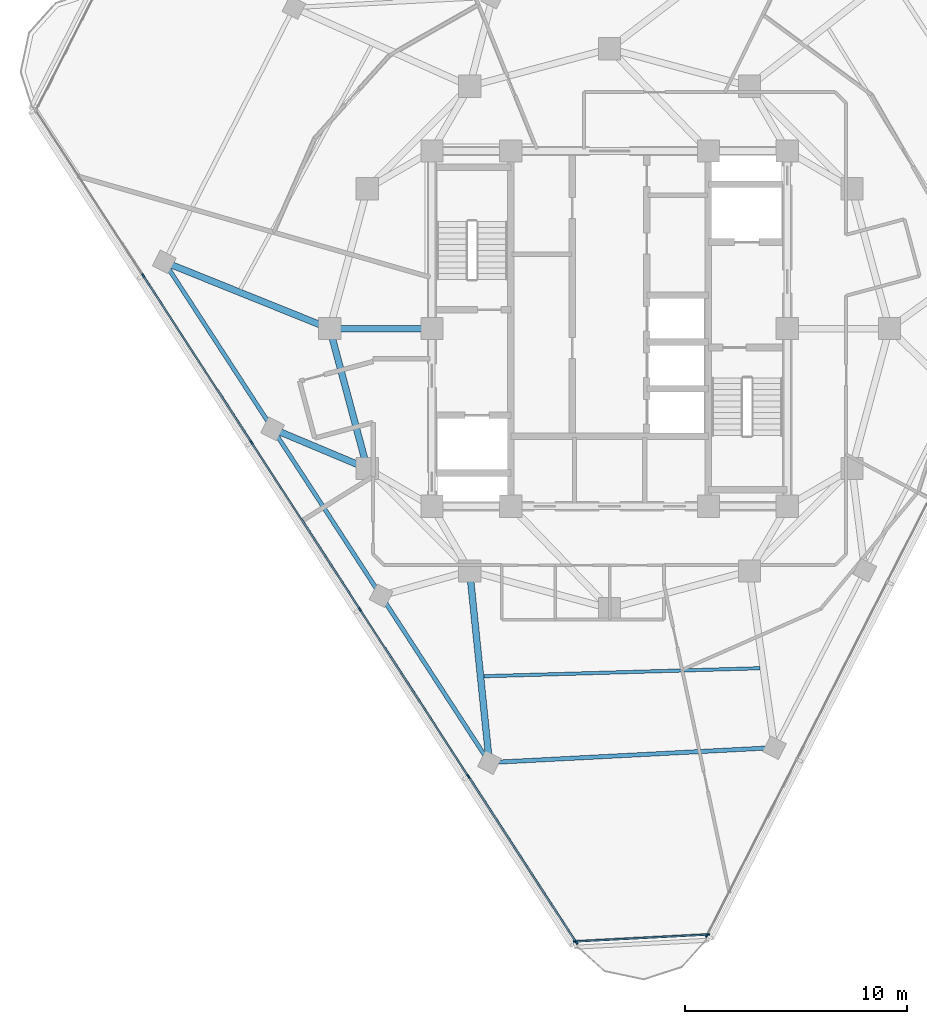
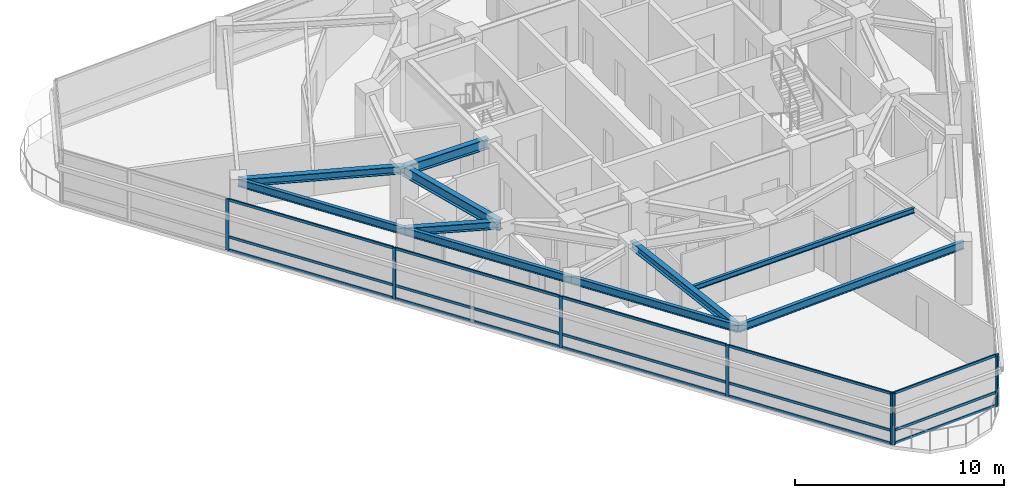
# One storey, part 2 of 15: 23 members, 10 beams, 3 elements without a shape of their own.
"""IFC4 building model written with IfcOpenShell, lengths in metres."""

from ifc_helpers import new_model, si_unit, direction, frame, origin, origin_2d, place, context, subcontext, project, spatial, rectangle, i_section, extrude, material, layer, layer_set, material_profile, profile_set, type_object, element, aggregate, save


model = new_model("IFC4")

# Units and contexts
model_context = context("Model", 3, precision=1e-05, world=origin(), true_north=direction((0.0, 1.0)))
body_context = subcontext(model_context, "Body", "Model", "MODEL_VIEW")
ifc_project = project(units=[si_unit("LENGTHUNIT", "METRE"), si_unit("AREAUNIT", "SQUARE_METRE"), si_unit("VOLUMEUNIT", "CUBIC_METRE"), si_unit("PLANEANGLEUNIT", "RADIAN"), si_unit("MASSUNIT", "GRAM", prefix="KILO")], contexts=[model_context])

# Site, building, storey
site_placement = place(None, origin())
site = spatial("IfcSite", under=ifc_project, at=site_placement, CompositionType="ELEMENT")
building_placement = place(site_placement, origin())
building = spatial("IfcBuilding", under=site, at=building_placement, Name="Terralouvre Media Tower", CompositionType="ELEMENT")
storey_placement = place(building_placement, frame((0.0, 0.0, 263.300048828125)))
storey = spatial("IfcBuildingStorey", under=building, at=storey_placement, Name="L68", CompositionType="ELEMENT", Elevation=263.300048828125)

# Beam
ifc_material_1 = material(Name="Structural steel S355J2", Category="steel")
ifc_material_profile_1 = material_profile(ifc_material_1, i_section(OverallWidth=0.14990234375, OverallDepth=0.300048828125, WebThickness=0.007080078125, FlangeThickness=0.0107421875, at=origin_2d()), Name="IPE 300")
ifc_profile_set_1 = profile_set([ifc_material_profile_1], Name="Structural steel S355J2")
beam_type_1 = type_object("IfcBeamType", Name="Composite Floor Joist J-IPE300 (IPE 300)", PredefinedType="JOIST", material=ifc_profile_set_1)
beam_1_placement = place(storey_placement, frame((-5.662353515625, -15.653564453125, 3.349853515625), z_axis=(0.999577320821, 0.029071974473, 0.0), x_axis=(-0.029071974473, 0.999577320821, 0.0)))
element("IfcBeam", 1, at=beam_1_placement, inside=storey, type_object=beam_type_1, Name="L68 Framing Beam JT-L68-01", PredefinedType="JOIST", context=body_context, shape_type="SweptSolid", body=[
    extrude(i_section(OverallWidth=0.14990234375, OverallDepth=0.300048828125, WebThickness=0.007080078125, FlangeThickness=0.0107421875, at=origin_2d()), origin(), (0.0, 0.0, 1.0), 12.437255859375),
])

# Curtain wall, members
ifc_material_2 = material(Name="Low-iron laminated double glazing with solar-control coating", Category="glass")
ifc_layer_1 = layer(ifc_material_2, 0.1650390625, Name="Upper Executive Tower Curtain Wall CW-05")
ifc_layer_set_1 = layer_set([ifc_layer_1], Name="Low-iron laminated double glazing with solar-control coating")
curtain_wall_type_1 = type_object("IfcCurtainWallType", Name="Upper Executive Tower Curtain Wall CW-05", PredefinedType="NOTDEFINED", material=ifc_layer_set_1)
curtain_wall_1_placement = place(storey_placement, origin())
curtain_wall_1 = element("IfcCurtainWall", 2, at=curtain_wall_1_placement, inside=storey, type_object=curtain_wall_type_1, Name="L68 Facade Curtain Wall F2", PredefinedType="NOTDEFINED")
ifc_material_3 = material(Name="Anodised extruded aluminium 6063-T6", Category="aluminium")
ifc_material_profile_2 = material_profile(ifc_material_3, rectangle(XDim=0.074951171875, YDim=0.14990234375, at=origin_2d()), Name="ALU 75x150")
ifc_profile_set_2 = profile_set([ifc_material_profile_2], Name="Anodised extruded aluminium 6063-T6")
member_type_1 = type_object("IfcMemberType", Name="Curtain-Wall Horizontal Transom TR-150", PredefinedType="USERDEFINED", material=ifc_profile_set_2)
member_1_placement = place(storey_placement, frame((-20.98046875, 2.355712890625, 0.037353515625), z_axis=(0.544647362145, -0.838665160185, 0.0), x_axis=(0.838665160185, 0.544647362145, 0.0)))
member_1 = element("IfcMember", 3, at=member_1_placement, type_object=member_type_1, Name="CW-05 transom 2.1", ObjectType="TRANSOM", PredefinedType="USERDEFINED", context=body_context, shape_type="SweptSolid", body=[
    extrude(rectangle(XDim=0.074951171875, YDim=0.14990234375, at=origin_2d()), origin(), (0.0, 0.0, 1.0), 8.884765625),
])
member_2_placement = place(storey_placement, frame((-20.98046875, 2.355712890625, 0.800048828125), z_axis=(0.544647362145, -0.838665160185, 0.0), x_axis=(0.838665160185, 0.544647362145, 0.0)))
member_2 = element("IfcMember", 4, at=member_2_placement, type_object=member_type_1, Name="CW-05 transom 2.2", ObjectType="TRANSOM", PredefinedType="USERDEFINED", context=body_context, shape_type="SweptSolid", body=[
    extrude(rectangle(XDim=0.074951171875, YDim=0.14990234375, at=origin_2d()), origin(), (0.0, 0.0, 1.0), 8.884765625),
])
member_3_placement = place(storey_placement, frame((-20.98046875, 2.355712890625, 2.96240234375), z_axis=(0.544647362145, -0.838665160185, 0.0), x_axis=(0.838665160185, 0.544647362145, 0.0)))
member_3 = element("IfcMember", 5, at=member_3_placement, type_object=member_type_1, Name="CW-05 transom 2.3", ObjectType="TRANSOM", PredefinedType="USERDEFINED", context=body_context, shape_type="SweptSolid", body=[
    extrude(rectangle(XDim=0.074951171875, YDim=0.14990234375, at=origin_2d()), origin(), (0.0, 0.0, 1.0), 8.884765625),
])
member_4_placement = place(storey_placement, frame((-16.1005859375, -5.15869140625, 0.037353515625), z_axis=(0.544634810925, -0.838673311087, 0.0), x_axis=(0.838673311087, 0.544634810925, 0.0)))
member_4 = element("IfcMember", 6, at=member_4_placement, type_object=member_type_1, Name="CW-05 transom 3.1", ObjectType="TRANSOM", PredefinedType="USERDEFINED", context=body_context, shape_type="SweptSolid", body=[
    extrude(rectangle(XDim=0.074951171875, YDim=0.14990234375, at=origin_2d()), origin(), (0.0, 0.0, 1.0), 8.885009765625),
])
member_5_placement = place(storey_placement, frame((-16.1005859375, -5.15869140625, 0.800048828125), z_axis=(0.544634810925, -0.838673311087, 0.0), x_axis=(0.838673311087, 0.544634810925, 0.0)))
member_5 = element("IfcMember", 7, at=member_5_placement, type_object=member_type_1, Name="CW-05 transom 3.2", ObjectType="TRANSOM", PredefinedType="USERDEFINED", context=body_context, shape_type="SweptSolid", body=[
    extrude(rectangle(XDim=0.074951171875, YDim=0.14990234375, at=origin_2d()), origin(), (0.0, 0.0, 1.0), 8.885009765625),
])
member_6_placement = place(storey_placement, frame((-16.1005859375, -5.15869140625, 2.96240234375), z_axis=(0.544634810925, -0.838673311087, 0.0), x_axis=(0.838673311087, 0.544634810925, 0.0)))
member_6 = element("IfcMember", 8, at=member_6_placement, type_object=member_type_1, Name="CW-05 transom 3.3", ObjectType="TRANSOM", PredefinedType="USERDEFINED", context=body_context, shape_type="SweptSolid", body=[
    extrude(rectangle(XDim=0.074951171875, YDim=0.14990234375, at=origin_2d()), origin(), (0.0, 0.0, 1.0), 8.885009765625),
])
member_7_placement = place(storey_placement, frame((-11.220458984375, -12.673095703125, 0.037353515625), z_axis=(0.544634810925, -0.838673311087, 0.0), x_axis=(0.838673311087, 0.544634810925, 0.0)))
member_7 = element("IfcMember", 9, at=member_7_placement, type_object=member_type_1, Name="CW-05 transom 4.1", ObjectType="TRANSOM", PredefinedType="USERDEFINED", context=body_context, shape_type="SweptSolid", body=[
    extrude(rectangle(XDim=0.074951171875, YDim=0.14990234375, at=origin_2d()), origin(), (0.0, 0.0, 1.0), 8.885009765625),
])
member_8_placement = place(storey_placement, frame((-11.220458984375, -12.673095703125, 0.800048828125), z_axis=(0.544634810925, -0.838673311087, 0.0), x_axis=(0.838673311087, 0.544634810925, 0.0)))
member_8 = element("IfcMember", 10, at=member_8_placement, type_object=member_type_1, Name="CW-05 transom 4.2", ObjectType="TRANSOM", PredefinedType="USERDEFINED", context=body_context, shape_type="SweptSolid", body=[
    extrude(rectangle(XDim=0.074951171875, YDim=0.14990234375, at=origin_2d()), origin(), (0.0, 0.0, 1.0), 8.885009765625),
])
member_9_placement = place(storey_placement, frame((-11.220458984375, -12.673095703125, 2.96240234375), z_axis=(0.544634810925, -0.838673311087, 0.0), x_axis=(0.838673311087, 0.544634810925, 0.0)))
member_9 = element("IfcMember", 11, at=member_9_placement, type_object=member_type_1, Name="CW-05 transom 4.3", ObjectType="TRANSOM", PredefinedType="USERDEFINED", context=body_context, shape_type="SweptSolid", body=[
    extrude(rectangle(XDim=0.074951171875, YDim=0.14990234375, at=origin_2d()), origin(), (0.0, 0.0, 1.0), 8.885009765625),
])
member_10_placement = place(storey_placement, frame((-6.340576171875, -20.187744140625, 0.037353515625), z_axis=(0.544630398361, -0.838676176591, 0.0), x_axis=(0.838676176591, 0.544630398361, 0.0)))
member_10 = element("IfcMember", 12, at=member_10_placement, type_object=member_type_1, Name="CW-05 transom 5.1", ObjectType="TRANSOM", PredefinedType="USERDEFINED", context=body_context, shape_type="SweptSolid", body=[
    extrude(rectangle(XDim=0.074951171875, YDim=0.14990234375, at=origin_2d()), origin(), (0.0, 0.0, 1.0), 8.847412109375),
])
member_11_placement = place(storey_placement, frame((-6.340576171875, -20.187744140625, 0.800048828125), z_axis=(0.544630398361, -0.838676176591, 0.0), x_axis=(0.838676176591, 0.544630398361, 0.0)))
member_11 = element("IfcMember", 13, at=member_11_placement, type_object=member_type_1, Name="CW-05 transom 5.2", ObjectType="TRANSOM", PredefinedType="USERDEFINED", context=body_context, shape_type="SweptSolid", body=[
    extrude(rectangle(XDim=0.074951171875, YDim=0.14990234375, at=origin_2d()), origin(), (0.0, 0.0, 1.0), 8.847412109375),
])
member_12_placement = place(storey_placement, frame((-6.340576171875, -20.187744140625, 2.96240234375), z_axis=(0.544630398361, -0.838676176591, 0.0), x_axis=(0.838676176591, 0.544630398361, 0.0)))
member_12 = element("IfcMember", 14, at=member_12_placement, type_object=member_type_1, Name="CW-05 transom 5.3", ObjectType="TRANSOM", PredefinedType="USERDEFINED", context=body_context, shape_type="SweptSolid", body=[
    extrude(rectangle(XDim=0.074951171875, YDim=0.14990234375, at=origin_2d()), origin(), (0.0, 0.0, 1.0), 8.847412109375),
])

ifc_material_4 = material(Name="Low-iron laminated double glazing with solar-control coating", Category="glass")
ifc_layer_2 = layer(ifc_material_4, 0.1650390625, Name="Rounded Wind-Corner Curved Glazing CW-04")
ifc_layer_set_2 = layer_set([ifc_layer_2], Name="Low-iron laminated double glazing with solar-control coating")
curtain_wall_type_2 = type_object("IfcCurtainWallType", Name="Rounded Wind-Corner Curved Glazing CW-04", PredefinedType="NOTDEFINED", material=ifc_layer_set_2)
curtain_wall_2_placement = place(storey_placement, origin())
curtain_wall_2 = element("IfcCurtainWall", 15, at=curtain_wall_2_placement, inside=storey, type_object=curtain_wall_type_2, Name="L68 Rounded Wind-Corner Curtain Wall C0", PredefinedType="NOTDEFINED")
member_13_placement = place(storey_placement, frame((-1.51416015625, -27.59228515625, 0.037353515625), z_axis=(0.998630348994, 0.052320417325, 0.0), x_axis=(-0.052320417325, 0.998630348994, 0.0)))
member_13 = element("IfcMember", 16, at=member_13_placement, type_object=member_type_1, Name="CW-04 transom 1.1", ObjectType="TRANSOM", PredefinedType="USERDEFINED", context=body_context, shape_type="SweptSolid", body=[
    extrude(rectangle(XDim=0.074951171875, YDim=0.14990234375, at=origin_2d()), origin(), (0.0, 0.0, 1.0), 5.912109375),
])
member_14_placement = place(storey_placement, frame((-1.51416015625, -27.59228515625, 0.800048828125), z_axis=(0.998630348994, 0.052320417325, 0.0), x_axis=(-0.052320417325, 0.998630348994, 0.0)))
member_14 = element("IfcMember", 17, at=member_14_placement, type_object=member_type_1, Name="CW-04 transom 1.2", ObjectType="TRANSOM", PredefinedType="USERDEFINED", context=body_context, shape_type="SweptSolid", body=[
    extrude(rectangle(XDim=0.074951171875, YDim=0.14990234375, at=origin_2d()), origin(), (0.0, 0.0, 1.0), 5.912109375),
])
member_15_placement = place(storey_placement, frame((-1.51416015625, -27.59228515625, 2.96240234375), z_axis=(0.998630348994, 0.052320417325, 0.0), x_axis=(-0.052320417325, 0.998630348994, 0.0)))
member_15 = element("IfcMember", 18, at=member_15_placement, type_object=member_type_1, Name="CW-04 transom 1.3", ObjectType="TRANSOM", PredefinedType="USERDEFINED", context=body_context, shape_type="SweptSolid", body=[
    extrude(rectangle(XDim=0.074951171875, YDim=0.14990234375, at=origin_2d()), origin(), (0.0, 0.0, 1.0), 5.912109375),
])

# Curtain wall, member
curtain_wall_3_placement = place(storey_placement, origin())
curtain_wall_3 = element("IfcCurtainWall", 19, at=curtain_wall_3_placement, inside=storey, type_object=curtain_wall_type_1, Name="L68 Facade Curtain Wall F0", PredefinedType="NOTDEFINED")
ifc_material_5 = material(Name="Anodised extruded aluminium 6063-T6", Category="aluminium")
ifc_material_profile_3 = material_profile(ifc_material_5, rectangle(XDim=0.074951171875, YDim=0.179931640625, at=origin_2d()), Name="ALU 75x180")
ifc_profile_set_3 = profile_set([ifc_material_profile_3], Name="Anodised extruded aluminium 6063-T6")
member_type_2 = type_object("IfcMemberType", Name="Curtain-Wall Vertical Mullion ML-180", PredefinedType="MULLION", material=ifc_profile_set_3)
member_16_placement = place(storey_placement, frame((4.38232421875, -27.330810546875, 0.0), z_axis=(0.0, 0.0, 1.0), x_axis=(-0.891006553308, 0.45399044259, 0.0)))
member_16 = element("IfcMember", 20, at=member_16_placement, type_object=member_type_2, Name="CW-05 mullion 1", PredefinedType="MULLION", context=body_context, shape_type="SweptSolid", body=[
    extrude(rectangle(XDim=0.074951171875, YDim=0.179931640625, at=origin_2d()), origin(), (0.0, 0.0, 1.0), 3.0),
])
aggregate(curtain_wall_3, [member_16])

# Member
member_17_placement = place(storey_placement, frame((-21.0009765625, 2.38720703125, 0.0), z_axis=(0.0, 0.0, 1.0), x_axis=(0.838670545826, 0.544639069077, 0.0)))
member_17 = element("IfcMember", 21, at=member_17_placement, type_object=member_type_2, Name="CW-05 mullion 2", PredefinedType="MULLION", context=body_context, shape_type="SweptSolid", body=[
    extrude(rectangle(XDim=0.074951171875, YDim=0.179931640625, at=origin_2d()), origin(), (0.0, 0.0, 1.0), 3.0),
])

member_18_placement = place(storey_placement, frame((-16.120849609375, -5.127197265625, 0.0), z_axis=(0.0, 0.0, 1.0), x_axis=(0.838670545826, 0.544639069077, 0.0)))
member_18 = element("IfcMember", 22, at=member_18_placement, type_object=member_type_2, Name="CW-05 mullion 3", PredefinedType="MULLION", context=body_context, shape_type="SweptSolid", body=[
    extrude(rectangle(XDim=0.074951171875, YDim=0.179931640625, at=origin_2d()), origin(), (0.0, 0.0, 1.0), 3.0),
])

member_19_placement = place(storey_placement, frame((-11.240966796875, -12.641845703125, 0.0), z_axis=(0.0, 0.0, 1.0), x_axis=(0.838670545826, 0.544639069077, 0.0)))
member_19 = element("IfcMember", 23, at=member_19_placement, type_object=member_type_2, Name="CW-05 mullion 4", PredefinedType="MULLION", context=body_context, shape_type="SweptSolid", body=[
    extrude(rectangle(XDim=0.074951171875, YDim=0.179931640625, at=origin_2d()), origin(), (0.0, 0.0, 1.0), 3.0),
])

member_20_placement = place(storey_placement, frame((-6.361083984375, -20.15625, 0.0), z_axis=(0.0, 0.0, 1.0), x_axis=(0.838670545826, 0.544639069077, 0.0)))
member_20 = element("IfcMember", 24, at=member_20_placement, type_object=member_type_2, Name="CW-05 mullion 5", PredefinedType="MULLION", context=body_context, shape_type="SweptSolid", body=[
    extrude(rectangle(XDim=0.074951171875, YDim=0.179931640625, at=origin_2d()), origin(), (0.0, 0.0, 1.0), 3.0),
])

member_21_placement = place(storey_placement, frame((-1.50146484375, -27.63916015625, 0.0), z_axis=(0.0, 0.0, 1.0), x_axis=(0.838670545826, 0.544639069077, 0.0)))
member_21 = element("IfcMember", 25, at=member_21_placement, type_object=member_type_2, Name="CW-05 mullion 6", PredefinedType="MULLION", context=body_context, shape_type="SweptSolid", body=[
    extrude(rectangle(XDim=0.074951171875, YDim=0.179931640625, at=origin_2d()), origin(), (0.0, 0.0, 1.0), 3.0),
])

aggregate(curtain_wall_1, [member_17, member_18, member_19, member_20, member_21, member_1, member_2, member_3, member_4, member_5, member_6, member_7, member_8, member_9, member_10, member_11, member_12])

member_22_placement = place(storey_placement, frame((-1.551513671875, -27.59423828125, 0.0), z_axis=(0.0, 0.0, 1.0), x_axis=(-0.05233597552, 0.998629533744, 0.0)))
member_22 = element("IfcMember", 26, at=member_22_placement, type_object=member_type_2, Name="CW-04 mullion 1", PredefinedType="MULLION", context=body_context, shape_type="SweptSolid", body=[
    extrude(rectangle(XDim=0.074951171875, YDim=0.179931640625, at=origin_2d()), origin(), (0.0, 0.0, 1.0), 3.0),
])

member_23_placement = place(storey_placement, frame((4.427490234375, -27.281005859375, 0.0), z_axis=(0.0, 0.0, 1.0), x_axis=(-0.05233597552, 0.998629533744, 0.0)))
member_23 = element("IfcMember", 27, at=member_23_placement, type_object=member_type_2, Name="CW-04 mullion 2", PredefinedType="MULLION", context=body_context, shape_type="SweptSolid", body=[
    extrude(rectangle(XDim=0.074951171875, YDim=0.179931640625, at=origin_2d()), origin(), (0.0, 0.0, 1.0), 3.0),
])

aggregate(curtain_wall_2, [member_22, member_23, member_13, member_14, member_15])

# Beams
ifc_material_6 = material(Name="Structural steel S355J2", Category="steel")
ifc_material_profile_4 = material_profile(ifc_material_6, i_section(OverallWidth=0.18994140625, OverallDepth=0.449951171875, WebThickness=0.009521484375, FlangeThickness=0.0146484375, at=origin_2d()), Name="IPE 450")
ifc_profile_set_4 = profile_set([ifc_material_profile_4], Name="Structural steel S355J2")
beam_type_2 = type_object("IfcBeamType", Name="Perimeter Spandrel Beam SPB-450 (IPE 450)", PredefinedType="SPANDREL", material=ifc_profile_set_4)
beam_2_placement = place(storey_placement, frame((-15.17333984375, -4.51171875, 3.27490234375), z_axis=(0.544643524961, -0.838667652123, 0.0), x_axis=(0.838667652123, 0.544643524961, 0.0)))
element("IfcBeam", 28, at=beam_2_placement, inside=storey, type_object=beam_type_2, Name="L68 Framing Beam BM-L68-PR01", PredefinedType="SPANDREL", context=body_context, shape_type="SweptSolid", body=[
    extrude(i_section(OverallWidth=0.18994140625, OverallDepth=0.449951171875, WebThickness=0.009521484375, FlangeThickness=0.0146484375, at=origin_2d()), origin(), (0.0, 0.0, 1.0), 8.960205078125),
])
beam_3_placement = place(storey_placement, frame((-10.293212890625, -12.0263671875, 3.27490234375), z_axis=(0.544636805853, -0.838672015576, 0.0), x_axis=(0.838672015576, 0.544636805853, 0.0)))
element("IfcBeam", 29, at=beam_3_placement, inside=storey, type_object=beam_type_2, Name="L68 Framing Beam BM-L68-PR02", PredefinedType="SPANDREL", context=body_context, shape_type="SweptSolid", body=[
    extrude(i_section(OverallWidth=0.18994140625, OverallDepth=0.449951171875, WebThickness=0.009521484375, FlangeThickness=0.0146484375, at=origin_2d()), origin(), (0.0, 0.0, 1.0), 8.9599609375),
])
beam_4_placement = place(storey_placement, frame((-5.413330078125, -19.540771484375, 3.27490234375), z_axis=(0.998629710924, 0.052332594613, 0.0), x_axis=(-0.052332594613, 0.998629710924, 0.0)))
element("IfcBeam", 30, at=beam_4_placement, inside=storey, type_object=beam_type_2, Name="L68 Framing Beam BM-L68-PR03", PredefinedType="SPANDREL", context=body_context, shape_type="SweptSolid", body=[
    extrude(i_section(OverallWidth=0.18994140625, OverallDepth=0.449951171875, WebThickness=0.009521484375, FlangeThickness=0.0146484375, at=origin_2d()), origin(), (0.0, 0.0, 1.0), 12.857177734375),
])
beam_5_placement = place(storey_placement, frame((-20.05322265625, 3.002685546875, 3.27490234375), z_axis=(0.544636805853, -0.838672015576, 0.0), x_axis=(0.838672015576, 0.544636805853, 0.0)))
element("IfcBeam", 31, at=beam_5_placement, inside=storey, type_object=beam_type_2, Name="L68 Framing Beam BM-L68-PR12", PredefinedType="SPANDREL", context=body_context, shape_type="SweptSolid", body=[
    extrude(i_section(OverallWidth=0.18994140625, OverallDepth=0.449951171875, WebThickness=0.009521484375, FlangeThickness=0.0146484375, at=origin_2d()), origin(), (0.0, 0.0, 1.0), 8.9599609375),
])
ifc_material_7 = material(Name="Structural steel S355J2", Category="steel")
ifc_material_profile_5 = material_profile(ifc_material_7, i_section(OverallWidth=0.300048828125, OverallDepth=0.449951171875, WebThickness=0.013916015625, FlangeThickness=0.02587890625, at=origin_2d()), Name="HEB 450")
ifc_profile_set_5 = profile_set([ifc_material_profile_5], Name="Structural steel S355J2")
beam_type_3 = type_object("IfcBeamType", Name="Primary Floor Girder B-HEB450 (HEB 450)", PredefinedType="BEAM", material=ifc_profile_set_5)
beam_6_placement = place(storey_placement, frame((-10.911865234375, -6.300048828125, 3.27490234375), z_axis=(-0.922097113404, 0.386958542291, 0.0), x_axis=(-0.386958542291, -0.922097113404, 0.0)))
element("IfcBeam", 32, at=beam_6_placement, inside=storey, type_object=beam_type_3, Name="L68 Framing Beam BM-L68-RD01", PredefinedType="BEAM", context=body_context, shape_type="SweptSolid", body=[
    extrude(i_section(OverallWidth=0.300048828125, OverallDepth=0.449951171875, WebThickness=0.013916015625, FlangeThickness=0.02587890625, at=origin_2d()), origin(), (0.0, 0.0, 1.0), 4.62158203125),
])
beam_7_placement = place(storey_placement, frame((-6.300048828125, -10.911865234375, 3.27490234375), z_axis=(0.102223114396, -0.994761496482, 0.0), x_axis=(0.994761496482, 0.102223114396, 0.0)))
element("IfcBeam", 33, at=beam_7_placement, inside=storey, type_object=beam_type_3, Name="L68 Framing Beam BM-L68-RD03", PredefinedType="BEAM", context=body_context, shape_type="SweptSolid", body=[
    extrude(i_section(OverallWidth=0.300048828125, OverallDepth=0.449951171875, WebThickness=0.013916015625, FlangeThickness=0.02587890625, at=origin_2d()), origin(), (0.0, 0.0, 1.0), 8.67431640625),
])
beam_8_placement = place(storey_placement, frame((-12.60009765625, 0.0, 3.27490234375), z_axis=(-0.927553949727, 0.373689269775, 0.0), x_axis=(-0.373689269775, -0.927553949727, 0.0)))
element("IfcBeam", 34, at=beam_8_placement, inside=storey, type_object=beam_type_3, Name="L68 Framing Beam BM-L68-RD12", PredefinedType="BEAM", context=body_context, shape_type="SweptSolid", body=[
    extrude(i_section(OverallWidth=0.300048828125, OverallDepth=0.449951171875, WebThickness=0.013916015625, FlangeThickness=0.02587890625, at=origin_2d()), origin(), (0.0, 0.0, 1.0), 8.03515625),
])
ifc_material_8 = material(Name="Structural steel S460M", Category="steel")
ifc_material_profile_6 = material_profile(ifc_material_8, i_section(OverallWidth=0.300048828125, OverallDepth=0.60009765625, WebThickness=0.015380859375, FlangeThickness=0.030029296875, at=origin_2d()), Name="HEB 600")
ifc_profile_set_6 = profile_set([ifc_material_profile_6], Name="Structural steel S460M")
beam_type_4 = type_object("IfcBeamType", Name="Primary Floor Girder B-HEB600 (HEB 600)", PredefinedType="BEAM", material=ifc_profile_set_6)
beam_9_placement = place(storey_placement, frame((-12.60009765625, 0.0, 3.199951171875), z_axis=(0.258838989821, -0.965920481897, 0.0), x_axis=(0.965920481897, 0.258838989821, 0.0)))
element("IfcBeam", 35, at=beam_9_placement, inside=storey, type_object=beam_type_4, Name="L68 Framing Beam BM-L68-MR12", PredefinedType="BEAM", context=body_context, shape_type="SweptSolid", body=[
    extrude(i_section(OverallWidth=0.300048828125, OverallDepth=0.60009765625, WebThickness=0.015380859375, FlangeThickness=0.030029296875, at=origin_2d()), origin(), (0.0, 0.0, 1.0), 6.522216796875),
])
beam_10_placement = place(storey_placement, frame((-8.0, 0.0, 3.199951171875), z_axis=(-1.0, 0.0, 0.0), x_axis=(0.0, -1.0, 0.0)))
element("IfcBeam", 36, at=beam_10_placement, inside=storey, type_object=beam_type_4, Name="L68 Framing Beam BM-L68-CM12", PredefinedType="BEAM", context=body_context, shape_type="SweptSolid", body=[
    extrude(i_section(OverallWidth=0.300048828125, OverallDepth=0.60009765625, WebThickness=0.015380859375, FlangeThickness=0.030029296875, at=origin_2d()), origin(), (0.0, 0.0, 1.0), 4.60009765625),
])

save(model, "model.ifc")
